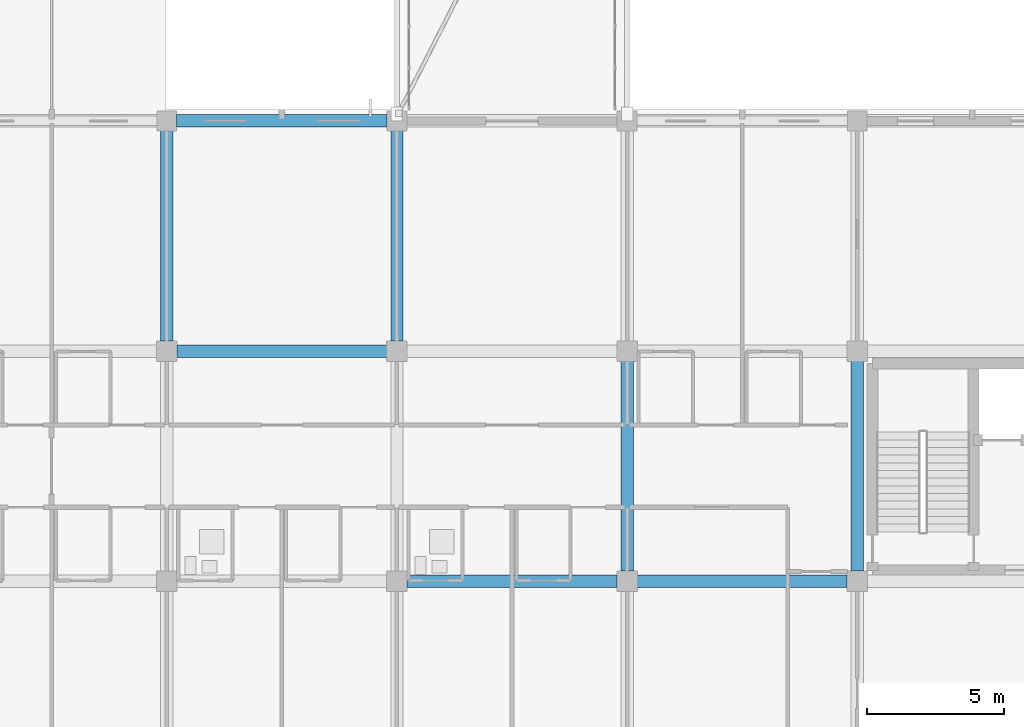
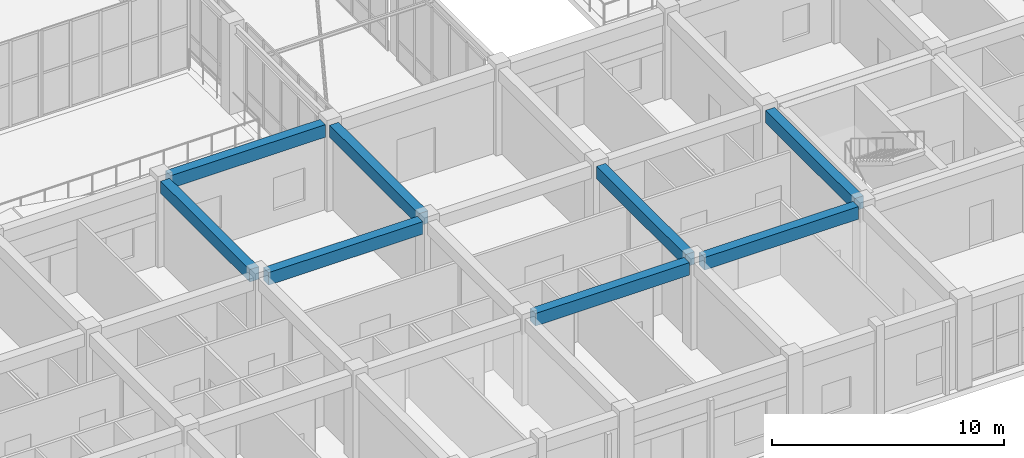
# One storey, part 31 of 158: 8 beams.
"""IFC4 building model written with IfcOpenShell, lengths in metres."""

import ifcopenshell
import ifcopenshell.guid

model = None  # the IFC model being written
_history = None  # IfcOwnerHistory: only IFC2X3 demands one
_inside = {}  # id of a spatial element -> (the spatial element, [elements in it])
_under = {}  # id of a project, library or spatial element -> (it, [spatial elements below it])
_declared = {}  # id of a project -> (the project, [libraries it declares])
_typed = {}  # id of a type object -> (the type object, [elements of that type])
_made_of = {}  # id of a material, layer set ... -> (it, [elements and type objects made of it])


def new_model(schema):
    """Start an empty IFC model of exactly this schema.

    Asked for "IFC4X3", IfcOpenShell would pick the latest addendum, in which some entities
    have other attributes; the version numbers below select the first issue.
    IFC2X3 requires an IfcOwnerHistory on every rooted entity: one is made here for all.
    """
    global model, _history
    if schema == "IFC4X3":
        model = ifcopenshell.file(schema_version=(4, 3, 0, 0))
    else:
        model = ifcopenshell.file(schema=schema)
    _inside.clear()
    _under.clear()
    _declared.clear()
    _typed.clear()
    _made_of.clear()
    _history = None
    if model.schema == "IFC2X3":
        org = make("IfcOrganization", Name="unknown")
        user = make(
            "IfcPersonAndOrganization",
            ThePerson=make("IfcPerson", FamilyName="unknown"),
            TheOrganization=org,
        )
        app = make(
            "IfcApplication",
            ApplicationDeveloper=org,
            Version="unknown",
            ApplicationFullName="unknown",
            ApplicationIdentifier="unknown",
        )
        _history = make(
            "IfcOwnerHistory",
            OwningUser=user,
            OwningApplication=app,
            ChangeAction="ADDED",
            CreationDate=0,
        )
    return model


def make(cls, **values):
    """One entity of the class cls with the attributes given. An attribute that is None is left unset."""
    return model.create_entity(
        cls, **{name: value for name, value in values.items() if value is not None}
    )


def rooted(cls, **values):
    """An entity with a GlobalId (a new one), such as an element, a storey or a relation."""
    return make(cls, GlobalId=ifcopenshell.guid.new(), OwnerHistory=_history, **values)


def si_unit(unit_type, name, prefix=None):
    """IfcSIUnit, for example si_unit("LENGTHUNIT", "METRE", prefix="MILLI")."""
    return make("IfcSIUnit", UnitType=unit_type, Prefix=prefix, Name=name)


def assignment(units):
    """IfcUnitAssignment: the units of a project."""
    return None if units is None else make("IfcUnitAssignment", Units=units)


def point(xyz):
    """IfcCartesianPoint."""
    return None if xyz is None else make("IfcCartesianPoint", Coordinates=xyz)


def direction(xyz):
    """IfcDirection."""
    return None if xyz is None else make("IfcDirection", DirectionRatios=xyz)


def frame(location, z_axis=None, x_axis=None):
    """IfcAxis2Placement3D, a coordinate frame: its origin and axes. An axis left out is left unset."""
    return make(
        "IfcAxis2Placement3D",
        Location=point(location),
        Axis=direction(z_axis),
        RefDirection=direction(x_axis),
    )


def frame_2d(location, x_axis=None):
    """IfcAxis2Placement2D, a coordinate frame in the plane: its origin and x axis."""
    return make(
        "IfcAxis2Placement2D", Location=point(location), RefDirection=direction(x_axis)
    )


def origin():
    """The frame at (0, 0, 0) with its axes left unset."""
    return frame((0.0, 0.0, 0.0))


def origin_2d():
    """The frame at (0, 0) in the plane with its x axis left unset."""
    return frame_2d((0.0, 0.0))


def place(relative_to, where):
    """IfcLocalPlacement: puts the frame where relative to a parent placement (None: the world)."""
    return make(
        "IfcLocalPlacement", PlacementRelTo=relative_to, RelativePlacement=where
    )


def context(
    kind, dimensions, precision=None, world=None, true_north=None, identifier=None
):
    """IfcGeometricRepresentationContext, for example the 3D "Model" context."""
    return make(
        "IfcGeometricRepresentationContext",
        ContextIdentifier=identifier,
        ContextType=kind,
        CoordinateSpaceDimension=dimensions,
        Precision=precision,
        WorldCoordinateSystem=world,
        TrueNorth=true_north,
    )


def subcontext(parent, identifier, kind, view, scale=None):
    """IfcGeometricRepresentationSubContext, for example "Body" below "Model"."""
    return make(
        "IfcGeometricRepresentationSubContext",
        ContextIdentifier=identifier,
        ContextType=kind,
        ParentContext=parent,
        TargetScale=scale,
        TargetView=view,
    )


def project(units=None, contexts=None):
    """IfcProject with its units and contexts."""
    return rooted(
        "IfcProject",
        Name="project",
        RepresentationContexts=contexts,
        UnitsInContext=assignment(units),
    )


def spatial(cls, under=None, at=None, **own):
    """A site, building, storey or space (cls), placed at a placement, below another one or the project."""
    s = rooted(cls, ObjectPlacement=at, **own)
    if under is not None:
        _under.setdefault(under.id(), (under, []))[1].append(s)
    return s


def profile(cls, at=None, kind="AREA", **sizes):
    """A parametric profile (cls). Its sizes go by their IFC names, for example OverallWidth=200.0."""
    return make(cls, ProfileType=kind, Position=at, **sizes)


def rectangle(**sizes):
    """IfcRectangleProfileDef."""
    return profile("IfcRectangleProfileDef", **sizes)


def extrude(swept, where, along, depth):
    """IfcExtrudedAreaSolid: the profile swept, set in the frame where, extruded along a direction by depth."""
    return make(
        "IfcExtrudedAreaSolid",
        SweptArea=swept,
        Position=where,
        ExtrudedDirection=direction(along),
        Depth=depth,
    )


def shape(context_of_items, identifier, shape_type, items):
    """IfcShapeRepresentation: the items that make up one representation, for example the "Body"."""
    return make(
        "IfcShapeRepresentation",
        ContextOfItems=context_of_items,
        RepresentationIdentifier=identifier,
        RepresentationType=shape_type,
        Items=items,
    )


def material(Name=None, Category=None):
    """IfcMaterial."""
    return make("IfcMaterial", Name=Name, Category=Category)


def material_profile(
    of_material, cross_section, Name=None, Category=None, Priority=None
):
    """IfcMaterialProfile: a cross section and its material."""
    return make(
        "IfcMaterialProfile",
        Name=Name,
        Material=of_material,
        Profile=cross_section,
        Priority=Priority,
        Category=Category,
    )


def profile_set(profiles, Name=None, composite=None):
    """IfcMaterialProfileSet."""
    return make(
        "IfcMaterialProfileSet",
        Name=Name,
        MaterialProfiles=profiles,
        CompositeProfile=composite,
    )


def made_of(thing, what):
    """Note that an element or type object is made of a material, layer set ...; save() writes the relation."""
    if what is not None:
        _made_of.setdefault(what.id(), (what, []))[1].append(thing)
    return thing


def type_object(cls, material=None, **own):
    """A type object (cls), such as IfcWallType, which elements share."""
    return made_of(rooted(cls, **own), material)


def element(
    cls,
    number,
    at=None,
    inside=None,
    cuts=None,
    type_object=None,
    material=None,
    context=None,
    identifier="Body",
    shape_type=None,
    held_by="IfcProductDefinitionShape",
    body=None,
    shapes=None,
    **own,
):
    """One element of the class cls, such as IfcWall. Its Tag is "e" and its number.

    at: its placement. inside: the storey or other place that contains it. cuts: it is an
    opening in that element (IfcRelVoidsElement). A single representation is given by context,
    identifier, shape_type and body (its items); several are given by shapes. held_by: the class
    of the entity that holds the representations. save() writes the other relations.
    """
    e = rooted(cls, Tag="e%d" % number, ObjectPlacement=at, **own)
    if body is not None:
        shapes = [shape(context, identifier, shape_type, body)]
    if shapes is not None:
        e.Representation = make(held_by, Representations=shapes)
    if inside is not None:
        _inside.setdefault(inside.id(), (inside, []))[1].append(e)
    if cuts is not None:
        rooted(
            "IfcRelVoidsElement", RelatingBuildingElement=cuts, RelatedOpeningElement=e
        )
    if type_object is not None:
        _typed.setdefault(type_object.id(), (type_object, []))[1].append(e)
    return made_of(e, material)


def aggregate(whole, parts):
    """IfcRelAggregates: a whole, such as a stair, and the parts it consists of."""
    return rooted("IfcRelAggregates", RelatingObject=whole, RelatedObjects=parts)


def save(model, path):
    """Write the relations noted so far, then the file.

    IfcRelAggregates (storeys below a building ...), IfcRelContainedInSpatialStructure (elements
    in a storey), IfcRelDefinesByType, IfcRelAssociatesMaterial and IfcRelDeclares: one each for
    every whole, place, type object, material and project.
    """
    for whole, parts in _under.values():
        aggregate(whole, parts)
    for where, things in _inside.values():
        rooted(
            "IfcRelContainedInSpatialStructure",
            RelatedElements=things,
            RelatingStructure=where,
        )
    for kind, things in _typed.values():
        rooted("IfcRelDefinesByType", RelatedObjects=things, RelatingType=kind)
    for what, things in _made_of.values():
        rooted("IfcRelAssociatesMaterial", RelatedObjects=things, RelatingMaterial=what)
    for by, libraries in _declared.values():
        rooted("IfcRelDeclares", RelatingContext=by, RelatedDefinitions=libraries)
    model.write(path)


model = new_model("IFC4")

# Units and contexts
model_context = context("Model", 3, precision=1e-05, world=origin(), true_north=direction((0.0, 1.0)))
body_context = subcontext(model_context, "Body", "Model", "MODEL_VIEW")
ifc_project = project(units=[si_unit("LENGTHUNIT", "METRE"), si_unit("AREAUNIT", "SQUARE_METRE"), si_unit("VOLUMEUNIT", "CUBIC_METRE"), si_unit("PLANEANGLEUNIT", "RADIAN"), si_unit("MASSUNIT", "GRAM", prefix="KILO")], contexts=[model_context])

# Site, building, storey
site_placement = place(None, origin())
site = spatial("IfcSite", under=ifc_project, at=site_placement, CompositionType="ELEMENT")
building_placement = place(site_placement, origin())
building = spatial("IfcBuilding", under=site, at=building_placement, Name="Trelvath General Hospital", CompositionType="ELEMENT")
storey_placement = place(building_placement, frame((0.0, 0.0, 8.10009765625)))
storey = spatial("IfcBuildingStorey", under=building, at=storey_placement, Name="L02", CompositionType="ELEMENT", Elevation=8.10009765625)

# Beams
ifc_material_1 = material(Name="Concrete C35/45", Category="concrete")
ifc_material_profile_1 = material_profile(ifc_material_1, rectangle(XDim=0.449951171875, YDim=0.64990234375, at=origin_2d()), Name="RCB450x650")
ifc_profile_set_1 = profile_set([ifc_material_profile_1], Name="Concrete C35/45")
beam_type_1 = type_object("IfcBeamType", Name="Beam RC450x650", PredefinedType="BEAM", material=ifc_profile_set_1)
for number, where, z_axis, x_axis, name in (
    (1, (67.199951171875, 17.169921875, 4.19482421875), (0.0, 1.0, 0.0), (-1.0, 0.0, 0.0), "Grid Beam BY-208C"),
    (2, (75.60009765625, 17.169921875, 4.19482421875), (0.0, 1.0, 0.0), (-1.0, 0.0, 0.0), "Grid Beam BY-209C"),
):
    element("IfcBeam", number, at=place(storey_placement, frame(where, z_axis=z_axis, x_axis=x_axis)), inside=storey, type_object=beam_type_1, Name=name, PredefinedType="BEAM", context=body_context, shape_type="SweptSolid", body=[
        extrude(rectangle(XDim=0.449951171875, YDim=0.64990234375, at=origin_2d()), origin(), (0.0, 0.0, 1.0), 7.675048828125),
    ])
for number, where, z_axis, x_axis, name in (
    (3, (84.0, 8.77001953125, 4.19482421875), (0.0, 1.0, 0.0), (-1.0, 0.0, 0.0), "Grid Beam BY-210B"),
    (4, (92.39990234375, 8.77001953125, 4.19482421875), (0.0, 1.0, 0.0), (-1.0, 0.0, 0.0), "Grid Beam BY-211B"),
):
    element("IfcBeam", number, at=place(storey_placement, frame(where, z_axis=z_axis, x_axis=x_axis)), inside=storey, type_object=beam_type_1, Name=name, PredefinedType="BEAM", context=body_context, shape_type="SweptSolid", body=[
        extrude(rectangle(XDim=0.449951171875, YDim=0.64990234375, at=origin_2d()), origin(), (0.0, 0.0, 1.0), 7.659912109375),
    ])
ifc_material_2 = material(Name="Concrete C35/45", Category="concrete")
ifc_material_profile_2 = material_profile(ifc_material_2, rectangle(XDim=0.4599609375, YDim=0.659912109375, at=origin_2d()), Name="RCB460x660")
ifc_profile_set_2 = profile_set([ifc_material_profile_2], Name="Concrete C35/45")
beam_type_2 = type_object("IfcBeamType", Name="Beam RC460x660", PredefinedType="BEAM", material=ifc_profile_set_2)
beam_1_placement = place(storey_placement, frame((67.570068359375, 16.800048828125, 4.18994140625), z_axis=(1.0, 0.0, 0.0), x_axis=(0.0, 1.0, 0.0)))
element("IfcBeam", 5, at=beam_1_placement, inside=storey, type_object=beam_type_2, Name="Grid Beam BX-208C", PredefinedType="BEAM", context=body_context, shape_type="SweptSolid", body=[
    extrude(rectangle(XDim=0.4599609375, YDim=0.659912109375, at=origin_2d()), origin(), (0.0, 0.0, 1.0), 7.659912109375),
])
beam_2_placement = place(storey_placement, frame((67.554931640625, 25.199951171875, 4.18994140625), z_axis=(1.0, 0.0, 0.0), x_axis=(0.0, 1.0, 0.0)))
element("IfcBeam", 6, at=beam_2_placement, inside=storey, type_object=beam_type_2, Name="Grid Beam BX-208D", PredefinedType="BEAM", context=body_context, shape_type="SweptSolid", body=[
    extrude(rectangle(XDim=0.4599609375, YDim=0.659912109375, at=origin_2d()), origin(), (0.0, 0.0, 1.0), 7.690185546875),
])
for number, where, z_axis, x_axis, name in (
    (7, (75.969970703125, 8.39990234375, 4.18994140625), (1.0, 0.0, 0.0), (0.0, 1.0, 0.0), "Grid Beam BX-209B"),
    (8, (84.3701171875, 8.39990234375, 4.18994140625), (1.0, 0.0, 0.0), (0.0, 1.0, 0.0), "Grid Beam BX-210B"),
):
    element("IfcBeam", number, at=place(storey_placement, frame(where, z_axis=z_axis, x_axis=x_axis)), inside=storey, type_object=beam_type_2, Name=name, PredefinedType="BEAM", context=body_context, shape_type="SweptSolid", body=[
        extrude(rectangle(XDim=0.4599609375, YDim=0.659912109375, at=origin_2d()), origin(), (0.0, 0.0, 1.0), 7.659912109375),
    ])

save(model, "model.ifc")
